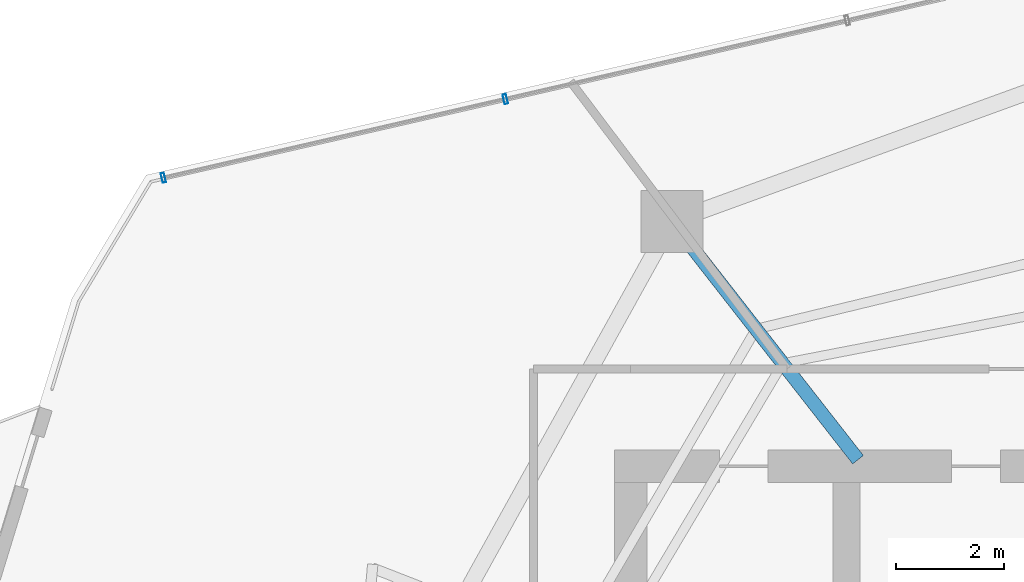
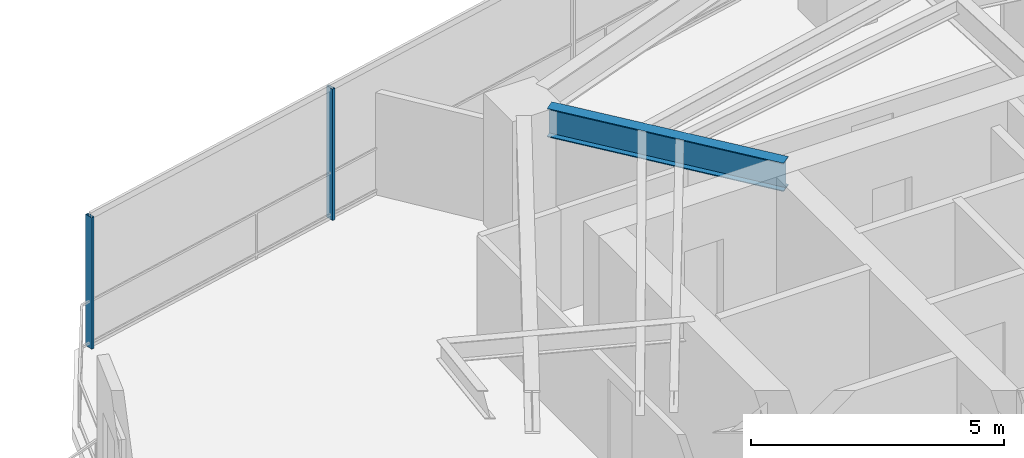
# One storey, part 11 of 23: 2 members, 1 beam, 1 element without a shape of its own.
"""IFC4 building model written with IfcOpenShell, lengths in metres."""

from ifc_helpers import new_model, si_unit, direction, frame, origin, origin_2d, place, context, subcontext, project, spatial, hollow_rectangle, i_section, extrude, material, layer, layer_set, material_profile, profile_set, type_object, element, aggregate, save


model = new_model("IFC4")

# Units and contexts
model_context = context("Model", 3, precision=1e-05, world=origin(), true_north=direction((0.0, 1.0)))
body_context = subcontext(model_context, "Body", "Model", "MODEL_VIEW")
ifc_project = project(units=[si_unit("LENGTHUNIT", "METRE"), si_unit("AREAUNIT", "SQUARE_METRE"), si_unit("VOLUMEUNIT", "CUBIC_METRE"), si_unit("PLANEANGLEUNIT", "RADIAN"), si_unit("MASSUNIT", "GRAM", prefix="KILO")], contexts=[model_context])

# Site, building, storey
site_placement = place(None, origin())
site = spatial("IfcSite", under=ifc_project, at=site_placement, CompositionType="ELEMENT")
building_placement = place(site_placement, origin())
building = spatial("IfcBuilding", under=site, at=building_placement, Name="Qarnah Convention Tower", CompositionType="ELEMENT")
storey_placement = place(building_placement, frame((0.0, 0.0, 114.300048828125)))
storey = spatial("IfcBuildingStorey", under=building, at=storey_placement, Name="L30", CompositionType="ELEMENT", Elevation=114.300048828125)

# Beam
ifc_material_1 = material(Name="Structural steel S355JR", Category="steel")
ifc_material_profile_1 = material_profile(ifc_material_1, i_section(OverallWidth=0.25390625, OverallDepth=0.68798828125, WebThickness=0.012939453125, FlangeThickness=0.02099609375, at=origin_2d()), Name="W690X152")
ifc_profile_set_1 = profile_set([ifc_material_profile_1], Name="Structural steel S355JR")
beam_type = type_object("IfcBeamType", Name="BM-RAD-W690", PredefinedType="BEAM", material=ifc_profile_set_1)
beam_placement = place(storey_placement, frame((31.013916015625, 34.318115234375, 2.825927734375), z_axis=(-0.61565061353, 0.788019239651, 0.0), x_axis=(-0.788019239651, -0.61565061353, 0.0)))
element("IfcBeam", 1, at=beam_placement, inside=storey, type_object=beam_type, Name="L30 beam BM-L30-RAD-04", PredefinedType="BEAM", context=body_context, shape_type="SweptSolid", body=[
    extrude(i_section(OverallWidth=0.25390625, OverallDepth=0.68798828125, WebThickness=0.012939453125, FlangeThickness=0.02099609375, at=origin_2d()), origin(), (0.0, 0.0, 1.0), 5.046630859375),
])

# Curtain wall, members
ifc_material_2 = material(Name="Tempered Low-E dark glass", Category="glass")
ifc_layer = layer(ifc_material_2, 0.169921875)
ifc_layer_set = layer_set([ifc_layer], Name="Tempered Low-E dark glass")
curtain_wall_type = type_object("IfcCurtainWallType", Name="CWS-02", PredefinedType="NOTDEFINED", material=ifc_layer_set)
curtain_wall_placement = place(storey_placement, origin())
curtain_wall = element("IfcCurtainWall", 2, at=curtain_wall_placement, inside=storey, type_object=curtain_wall_type, Name="L30 unitised curtain wall CW-L30-F3", PredefinedType="NOTDEFINED")
ifc_material_3 = material(Name="Black anodised aluminium", Category="aluminium")
ifc_material_profile_2 = material_profile(ifc_material_3, hollow_rectangle(XDim=0.06494140625, YDim=0.179931640625, WallThickness=0.00390625, at=origin_2d()), Name="MUL-65X180")
ifc_profile_set_2 = profile_set([ifc_material_profile_2], Name="Black anodised aluminium")
member_type = type_object("IfcMemberType", Name="MUL-T2", PredefinedType="MULLION", material=ifc_profile_set_2)
member_1_placement = place(storey_placement, frame((18.14111328125, 39.5419921875, 0.0), z_axis=(0.0, 0.0, 1.0), x_axis=(0.974522187201, 0.224291120317, 0.0)))
member_1 = element("IfcMember", 3, at=member_1_placement, type_object=member_type, Name="CW-L30-F3 mullion 1", PredefinedType="MULLION", context=body_context, shape_type="SweptSolid", body=[
    extrude(hollow_rectangle(XDim=0.06494140625, YDim=0.179931640625, WallThickness=0.00390625, at=origin_2d()), origin(), (0.0, 0.0, 1.0), 3.169921875),
])
member_2_placement = place(storey_placement, frame((24.4775390625, 41.00048828125, 0.0), z_axis=(0.0, 0.0, 1.0), x_axis=(0.974522187201, 0.224291120317, 0.0)))
member_2 = element("IfcMember", 4, at=member_2_placement, type_object=member_type, Name="CW-L30-F3 mullion 2", PredefinedType="MULLION", context=body_context, shape_type="SweptSolid", body=[
    extrude(hollow_rectangle(XDim=0.06494140625, YDim=0.179931640625, WallThickness=0.00390625, at=origin_2d()), origin(), (0.0, 0.0, 1.0), 3.169921875),
])
aggregate(curtain_wall, [member_1, member_2])

save(model, "model.ifc")
